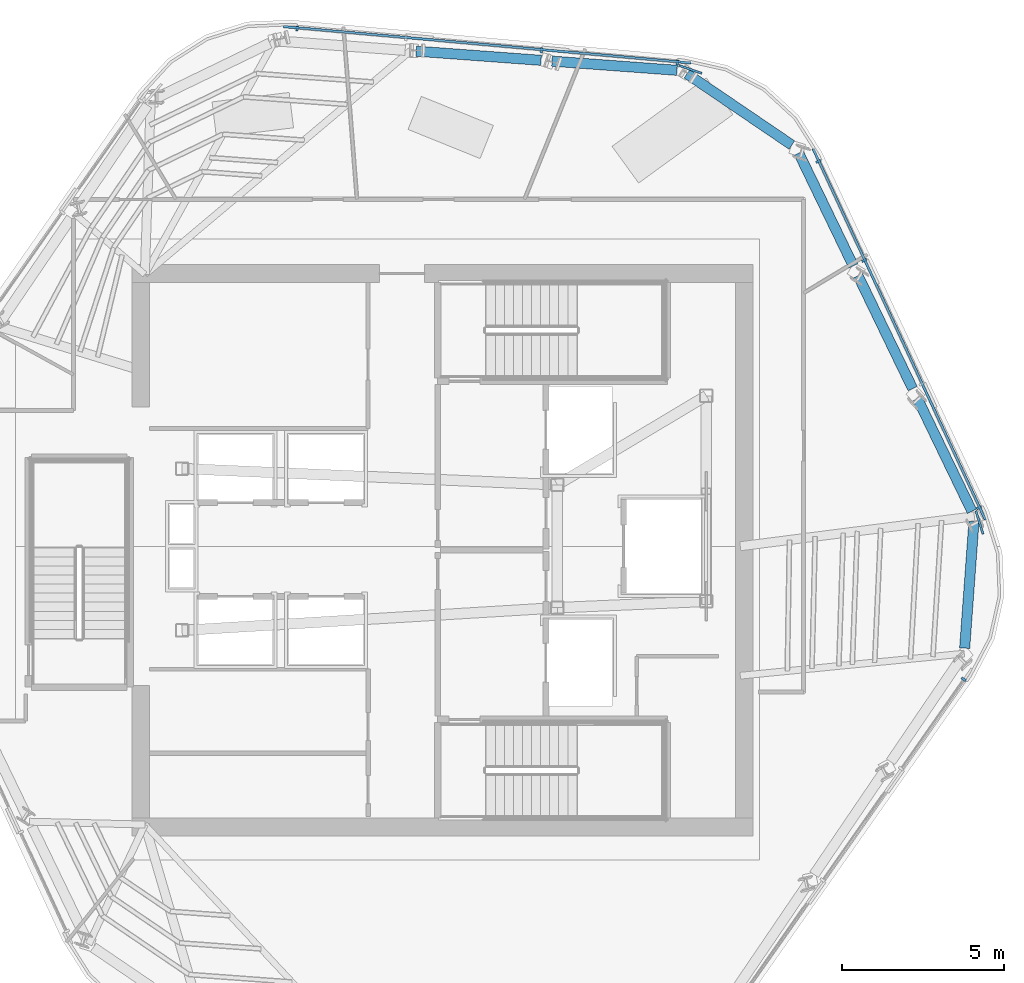
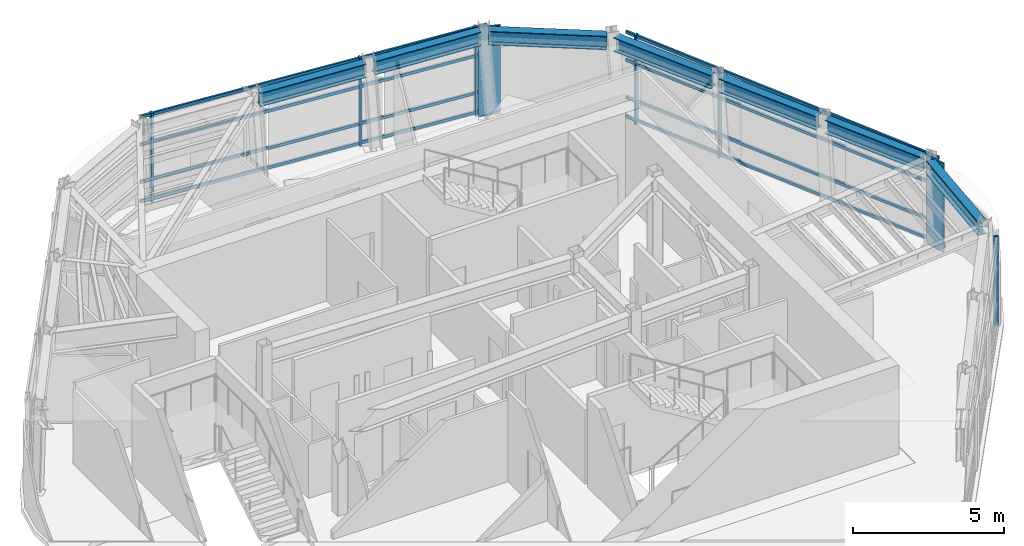
# One storey, part 4 of 12: 17 members, 7 beams, 3 elements without a shape of their own.
"""IFC4 building model written with IfcOpenShell, lengths in metres."""

from ifc_helpers import new_model, si_unit, direction, frame, origin, origin_2d, place, context, subcontext, project, spatial, rectangle, i_section, extrude, material, layer, layer_set, material_profile, profile_set, type_object, element, aggregate, save


model = new_model("IFC4")

# Units and contexts
model_context = context("Model", 3, precision=1e-05, world=origin(), true_north=direction((0.0, 1.0)))
body_context = subcontext(model_context, "Body", "Model", "MODEL_VIEW")
ifc_project = project(units=[si_unit("LENGTHUNIT", "METRE"), si_unit("AREAUNIT", "SQUARE_METRE"), si_unit("VOLUMEUNIT", "CUBIC_METRE"), si_unit("PLANEANGLEUNIT", "RADIAN"), si_unit("MASSUNIT", "GRAM", prefix="KILO")], contexts=[model_context])

# Site, building, storey
site_placement = place(None, origin())
site = spatial("IfcSite", under=ifc_project, at=site_placement, CompositionType="ELEMENT")
building_placement = place(site_placement, origin())
building = spatial("IfcBuilding", under=site, at=building_placement, Name="Valkerne Bourse Tower", CompositionType="ELEMENT")
storey_placement = place(building_placement, frame((0.0, 0.0, 262.199951171875)))
storey = spatial("IfcBuildingStorey", under=building, at=storey_placement, Name="L66", CompositionType="ELEMENT", Elevation=262.199951171875)

# Beams
ifc_material_1 = material(Name="Steel ASTM A992", Category="steel")
ifc_material_profile_1 = material_profile(ifc_material_1, i_section(OverallWidth=0.31494140625, OverallDepth=0.5537109375, WebThickness=0.0166015625, FlangeThickness=0.026123046875, FilletRadius=0.020263671875, at=origin_2d()), Name="W21X132")
ifc_profile_set_1 = profile_set([ifc_material_profile_1], Name="Steel ASTM A992")
beam_type = type_object("IfcBeamType", Name="BM-W21X132", PredefinedType="BEAM", material=ifc_profile_set_1)
for number, where, z_axis, x_axis, name in (
    (1, (54.044677734375, 41.707763671875, 3.3232421875), (-0.997316907808, 0.073205091355, 0.0), (-0.073205091355, -0.997316907808, 0.0), "L66 Hexagonal Spandrel Ring Beam 00"),
    (2, (49.843994140625, 42.01611328125, 3.3232421875), (-0.997312302406, 0.073267806499, 0.0), (-0.073267806499, -0.997312302406, 0.0), "L66 Hexagonal Spandrel Ring Beam 01"),
):
    element("IfcBeam", number, at=place(storey_placement, frame(where, z_axis=z_axis, x_axis=x_axis)), inside=storey, type_object=beam_type, Name=name, PredefinedType="BEAM", context=body_context, shape_type="SweptSolid", body=[
        extrude(i_section(OverallWidth=0.31494140625, OverallDepth=0.5537109375, WebThickness=0.0166015625, FlangeThickness=0.026123046875, FilletRadius=0.020263671875, at=origin_2d()), origin(), (0.0, 0.0, 1.0), 3.8720703125),
    ])
beam_1_placement = place(storey_placement, frame((62.934326171875, 23.85205078125, 3.3232421875), z_axis=(0.07319647364, 0.997317540328, 0.0), x_axis=(-0.997317540328, 0.07319647364, 0.0)))
element("IfcBeam", 3, at=beam_1_placement, inside=storey, type_object=beam_type, Name="L66 Hexagonal Spandrel Ring Beam 19", PredefinedType="BEAM", context=body_context, shape_type="SweptSolid", body=[
    extrude(i_section(OverallWidth=0.31494140625, OverallDepth=0.5537109375, WebThickness=0.0166015625, FlangeThickness=0.026123046875, FilletRadius=0.020263671875, at=origin_2d()), origin(), (0.0, 0.0, 1.0), 3.915771484375),
])
beam_2_placement = place(storey_placement, frame((63.159423828125, 28.079833984375, 3.3232421875), z_axis=(-0.43519336486, 0.900337012002, 0.0), x_axis=(-0.900337012002, -0.43519336486, 0.0)))
element("IfcBeam", 4, at=beam_2_placement, inside=storey, type_object=beam_type, Name="L66 Hexagonal Spandrel Ring Beam 20", PredefinedType="BEAM", context=body_context, shape_type="SweptSolid", body=[
    extrude(i_section(OverallWidth=0.31494140625, OverallDepth=0.5537109375, WebThickness=0.0166015625, FlangeThickness=0.026123046875, FilletRadius=0.020263671875, at=origin_2d()), origin(), (0.0, 0.0, 1.0), 3.8720703125),
])
beam_3_placement = place(storey_placement, frame((61.326416015625, 31.8720703125, 3.3232421875), z_axis=(-0.435269182469, 0.90030036032, 0.0), x_axis=(-0.90030036032, -0.435269182469, 0.0)))
element("IfcBeam", 5, at=beam_3_placement, inside=storey, type_object=beam_type, Name="L66 Hexagonal Spandrel Ring Beam 21", PredefinedType="BEAM", context=body_context, shape_type="SweptSolid", body=[
    extrude(i_section(OverallWidth=0.31494140625, OverallDepth=0.5537109375, WebThickness=0.0166015625, FlangeThickness=0.026123046875, FilletRadius=0.020263671875, at=origin_2d()), origin(), (0.0, 0.0, 1.0), 3.871826171875),
])
beam_4_placement = place(storey_placement, frame((59.4931640625, 35.6640625, 3.3232421875), z_axis=(-0.435244474126, 0.900312305671, 0.0), x_axis=(-0.900312305671, -0.435244474126, 0.0)))
element("IfcBeam", 6, at=beam_4_placement, inside=storey, type_object=beam_type, Name="L66 Hexagonal Spandrel Ring Beam 22", PredefinedType="BEAM", context=body_context, shape_type="SweptSolid", body=[
    extrude(i_section(OverallWidth=0.31494140625, OverallDepth=0.5537109375, WebThickness=0.0166015625, FlangeThickness=0.026123046875, FilletRadius=0.020263671875, at=origin_2d()), origin(), (0.0, 0.0, 1.0), 3.8720703125),
])
beam_5_placement = place(storey_placement, frame((57.59326171875, 39.398681640625, 3.3232421875), z_axis=(-0.827077231919, 0.562088295948, 0.0), x_axis=(-0.562088295948, -0.827077231919, 0.0)))
element("IfcBeam", 7, at=beam_5_placement, inside=storey, type_object=beam_type, Name="L66 Hexagonal Spandrel Ring Beam 23", PredefinedType="BEAM", context=body_context, shape_type="SweptSolid", body=[
    extrude(i_section(OverallWidth=0.31494140625, OverallDepth=0.5537109375, WebThickness=0.0166015625, FlangeThickness=0.026123046875, FilletRadius=0.020263671875, at=origin_2d()), origin(), (0.0, 0.0, 1.0), 3.91552734375),
])

# Curtain wall, members
ifc_material_2 = material(Name="Aluminium AA 6063-T6", Category="aluminium")
ifc_layer = layer(ifc_material_2, 0.2451171875)
ifc_layer_set = layer_set([ifc_layer], Name="Aluminium AA 6063-T6")
curtain_wall_type = type_object("IfcCurtainWallType", Name="CW-05", PredefinedType="NOTDEFINED", material=ifc_layer_set)
curtain_wall_1_placement = place(storey_placement, origin())
curtain_wall_1 = element("IfcCurtainWall", 8, at=curtain_wall_1_placement, inside=storey, type_object=curtain_wall_type, Name="L66 Hexagonal Stick Curtain Wall Face 1", PredefinedType="NOTDEFINED")
ifc_material_profile_2 = material_profile(ifc_material_2, rectangle(XDim=0.074951171875, YDim=0.159912109375, at=origin_2d()), Name="CWM-75X160")
ifc_profile_set_2 = profile_set([ifc_material_profile_2], Name="Aluminium AA 6063-T6")
member_type_1 = type_object("IfcMemberType", Name="CW-MUL-160X75", PredefinedType="MULLION", material=ifc_profile_set_2)
member_1_placement = place(storey_placement, frame((54.055908203125, 41.952880859375, 0.0), z_axis=(0.0, 0.0, 1.0), x_axis=(-0.99603958276, 0.088910908079, 0.0)))
member_1 = element("IfcMember", 9, at=member_1_placement, type_object=member_type_1, Name="CW-L66-F1 Jamb Mullion 00A", PredefinedType="MULLION", context=body_context, shape_type="SweptSolid", body=[
    extrude(rectangle(XDim=0.074951171875, YDim=0.159912109375, at=origin_2d()), origin(), (0.0, 0.0, 1.0), 3.60009765625),
])
member_2_placement = place(storey_placement, frame((49.860595703125, 42.327392578125, 0.0), z_axis=(0.0, 0.0, 1.0), x_axis=(-0.996041497395, 0.088889456445, 0.0)))
member_2 = element("IfcMember", 10, at=member_2_placement, type_object=member_type_1, Name="CW-L66-F1 Jamb Mullion 01A", PredefinedType="MULLION", context=body_context, shape_type="SweptSolid", body=[
    extrude(rectangle(XDim=0.074951171875, YDim=0.159912109375, at=origin_2d()), origin(), (0.0, 0.0, 1.0), 3.60009765625),
])
member_3_placement = place(storey_placement, frame((42.306640625, 43.00146484375, 0.0), z_axis=(0.0, 0.0, 1.0), x_axis=(-0.996041497395, 0.088889456445, 0.0)))
member_3 = element("IfcMember", 11, at=member_3_placement, type_object=member_type_1, Name="CW-L66-F1 Jamb Mullion 02B", PredefinedType="MULLION", context=body_context, shape_type="SweptSolid", body=[
    extrude(rectangle(XDim=0.074951171875, YDim=0.159912109375, at=origin_2d()), origin(), (0.0, 0.0, 1.0), 3.60009765625),
])

# Curtain wall, member
curtain_wall_2_placement = place(storey_placement, origin())
curtain_wall_2 = element("IfcCurtainWall", 12, at=curtain_wall_2_placement, inside=storey, type_object=curtain_wall_type, Name="L66 Hexagonal Stick Curtain Wall Face 5", PredefinedType="NOTDEFINED")
member_4_placement = place(storey_placement, frame((62.904296875, 22.890625, 0.0), z_axis=(0.0, 0.0, 1.0), x_axis=(0.575006942381, 0.818148529433, 0.0)))
member_4 = element("IfcMember", 13, at=member_4_placement, type_object=member_type_1, Name="CW-L66-F5 Jamb Mullion 02B", PredefinedType="MULLION", context=body_context, shape_type="SweptSolid", body=[
    extrude(rectangle(XDim=0.074951171875, YDim=0.159912109375, at=origin_2d()), origin(), (0.0, 0.0, 1.0), 3.60009765625),
])
aggregate(curtain_wall_2, [member_4])

# Curtain wall, members
curtain_wall_3_placement = place(storey_placement, origin())
curtain_wall_3 = element("IfcCurtainWall", 14, at=curtain_wall_3_placement, inside=storey, type_object=curtain_wall_type, Name="L66 Hexagonal Stick Curtain Wall Face 6", PredefinedType="NOTDEFINED")
member_5_placement = place(storey_placement, frame((63.377685546875, 28.192626953125, 0.0), z_axis=(0.0, 0.0, 1.0), x_axis=(-0.421032481957, 0.907045560673, 0.0)))
member_5 = element("IfcMember", 15, at=member_5_placement, type_object=member_type_1, Name="CW-L66-F6 Jamb Mullion 00A", PredefinedType="MULLION", context=body_context, shape_type="SweptSolid", body=[
    extrude(rectangle(XDim=0.074951171875, YDim=0.159912109375, at=origin_2d()), origin(), (0.0, 0.0, 1.0), 3.60009765625),
])
member_6_placement = place(storey_placement, frame((59.830810546875, 35.83349609375, 0.0), z_axis=(0.0, 0.0, 1.0), x_axis=(-0.421041548912, 0.907041351918, 0.0)))
member_6 = element("IfcMember", 16, at=member_6_placement, type_object=member_type_1, Name="CW-L66-F6 Jamb Mullion 02A", PredefinedType="MULLION", context=body_context, shape_type="SweptSolid", body=[
    extrude(rectangle(XDim=0.074951171875, YDim=0.159912109375, at=origin_2d()), origin(), (0.0, 0.0, 1.0), 3.60009765625),
])
member_7_placement = place(storey_placement, frame((58.410888671875, 38.89208984375, 0.0), z_axis=(0.0, 0.0, 1.0), x_axis=(-0.421041548912, 0.907041351918, 0.0)))
member_7 = element("IfcMember", 17, at=member_7_placement, type_object=member_type_1, Name="CW-L66-F6 Jamb Mullion 02B", PredefinedType="MULLION", context=body_context, shape_type="SweptSolid", body=[
    extrude(rectangle(XDim=0.074951171875, YDim=0.159912109375, at=origin_2d()), origin(), (0.0, 0.0, 1.0), 3.60009765625),
])

# Member
ifc_material_profile_3 = material_profile(ifc_material_2, rectangle(XDim=0.074951171875, YDim=0.1201171875, at=origin_2d()), Name="CWT-75X120")
ifc_profile_set_3 = profile_set([ifc_material_profile_3], Name="Aluminium AA 6063-T6")
member_type_2 = type_object("IfcMemberType", Name="CW-TRN-120X75", PredefinedType="USERDEFINED", material=ifc_profile_set_3)
member_8_placement = place(storey_placement, frame((54.47607421875, 41.935546875, 0.1201171875), z_axis=(-0.996040883093, 0.088896339679, 0.0), x_axis=(-0.088896339679, -0.996040883093, 0.0)))
member_8 = element("IfcMember", 18, at=member_8_placement, type_object=member_type_2, Name="CW-L66-F1 Continuous Face Transom 1", ObjectType="TRANSOM", PredefinedType="USERDEFINED", context=body_context, shape_type="SweptSolid", body=[
    extrude(rectangle(XDim=0.074951171875, YDim=0.1201171875, at=origin_2d()), origin(), (0.0, 0.0, 1.0), 12.635986328125),
])

member_9_placement = place(storey_placement, frame((54.47607421875, 41.935546875, 0.900146484375), z_axis=(-0.996040883093, 0.088896339679, 0.0), x_axis=(-0.088896339679, -0.996040883093, 0.0)))
member_9 = element("IfcMember", 19, at=member_9_placement, type_object=member_type_2, Name="CW-L66-F1 Continuous Face Transom 2", ObjectType="TRANSOM", PredefinedType="USERDEFINED", context=body_context, shape_type="SweptSolid", body=[
    extrude(rectangle(XDim=0.074951171875, YDim=0.1201171875, at=origin_2d()), origin(), (0.0, 0.0, 1.0), 12.635986328125),
])

member_10_placement = place(storey_placement, frame((54.47607421875, 41.935546875, 2.400146484375), z_axis=(-0.996040883093, 0.088896339679, 0.0), x_axis=(-0.088896339679, -0.996040883093, 0.0)))
member_10 = element("IfcMember", 20, at=member_10_placement, type_object=member_type_2, Name="CW-L66-F1 Continuous Face Transom 3", ObjectType="TRANSOM", PredefinedType="USERDEFINED", context=body_context, shape_type="SweptSolid", body=[
    extrude(rectangle(XDim=0.074951171875, YDim=0.1201171875, at=origin_2d()), origin(), (0.0, 0.0, 1.0), 12.635986328125),
])

member_11_placement = place(storey_placement, frame((54.47607421875, 41.935546875, 3.52001953125), z_axis=(-0.996040883093, 0.088896339679, 0.0), x_axis=(-0.088896339679, -0.996040883093, 0.0)))
member_11 = element("IfcMember", 21, at=member_11_placement, type_object=member_type_2, Name="CW-L66-F1 Continuous Face Transom 4", ObjectType="TRANSOM", PredefinedType="USERDEFINED", context=body_context, shape_type="SweptSolid", body=[
    extrude(rectangle(XDim=0.074951171875, YDim=0.1201171875, at=origin_2d()), origin(), (0.0, 0.0, 1.0), 12.635986328125),
])

aggregate(curtain_wall_1, [member_8, member_9, member_10, member_11, member_1, member_2, member_3])

member_12_placement = place(storey_placement, frame((63.572509765625, 27.820068359375, 0.1201171875), z_axis=(-0.421042049875, 0.907041119375, 0.0), x_axis=(-0.907041119375, -0.421042049875, 0.0)))
member_12 = element("IfcMember", 22, at=member_12_placement, type_object=member_type_2, Name="CW-L66-F6 Continuous Face Transom 1", ObjectType="TRANSOM", PredefinedType="USERDEFINED", context=body_context, shape_type="SweptSolid", body=[
    extrude(rectangle(XDim=0.074951171875, YDim=0.1201171875, at=origin_2d()), origin(), (0.0, 0.0, 1.0), 12.635986328125),
])

member_13_placement = place(storey_placement, frame((63.572509765625, 27.820068359375, 0.900146484375), z_axis=(-0.421042049875, 0.907041119375, 0.0), x_axis=(-0.907041119375, -0.421042049875, 0.0)))
member_13 = element("IfcMember", 23, at=member_13_placement, type_object=member_type_2, Name="CW-L66-F6 Continuous Face Transom 2", ObjectType="TRANSOM", PredefinedType="USERDEFINED", context=body_context, shape_type="SweptSolid", body=[
    extrude(rectangle(XDim=0.074951171875, YDim=0.1201171875, at=origin_2d()), origin(), (0.0, 0.0, 1.0), 12.635986328125),
])

member_14_placement = place(storey_placement, frame((63.572509765625, 27.820068359375, 2.400146484375), z_axis=(-0.421042049875, 0.907041119375, 0.0), x_axis=(-0.907041119375, -0.421042049875, 0.0)))
member_14 = element("IfcMember", 24, at=member_14_placement, type_object=member_type_2, Name="CW-L66-F6 Continuous Face Transom 3", ObjectType="TRANSOM", PredefinedType="USERDEFINED", context=body_context, shape_type="SweptSolid", body=[
    extrude(rectangle(XDim=0.074951171875, YDim=0.1201171875, at=origin_2d()), origin(), (0.0, 0.0, 1.0), 12.635986328125),
])

member_15_placement = place(storey_placement, frame((63.572509765625, 27.820068359375, 3.52001953125), z_axis=(-0.421042049875, 0.907041119375, 0.0), x_axis=(-0.907041119375, -0.421042049875, 0.0)))
member_15 = element("IfcMember", 25, at=member_15_placement, type_object=member_type_2, Name="CW-L66-F6 Continuous Face Transom 4", ObjectType="TRANSOM", PredefinedType="USERDEFINED", context=body_context, shape_type="SweptSolid", body=[
    extrude(rectangle(XDim=0.074951171875, YDim=0.1201171875, at=origin_2d()), origin(), (0.0, 0.0, 1.0), 12.635986328125),
])

aggregate(curtain_wall_3, [member_12, member_13, member_14, member_15, member_5, member_6, member_7])

# Members
ifc_material_3 = material(Name="Bronze Anodised Aluminium AA 6063-T6", Category="aluminium")
ifc_material_profile_4 = material_profile(ifc_material_3, rectangle(XDim=0.06494140625, YDim=0.75, at=origin_2d()), Name="FIN-65X750")
ifc_profile_set_4 = profile_set([ifc_material_profile_4], Name="Bronze Anodised Aluminium AA 6063-T6")
member_type_3 = type_object("IfcMemberType", Name="FIN-SOLAR-650", PredefinedType="USERDEFINED", material=ifc_profile_set_4)
for number, where, z_axis, x_axis, name in (
    (26, (54.458251953125, 41.736328125, 0.004150390625), (0.0, 0.0, 1.0), (0.326699183277, 0.945128374162, 0.0), "L66 Bronze Anodised Solar Fin F1-00"),
    (27, (63.39111328125, 27.73583984375, 0.004150390625), (0.0, 0.0, 1.0), (0.955837135316, 0.293896870944, 0.0), "L66 Bronze Anodised Solar Fin F6-00"),
):
    element("IfcMember", number, at=place(storey_placement, frame(where, z_axis=z_axis, x_axis=x_axis)), inside=storey, type_object=member_type_3, Name=name, ObjectType="SOLAR_FIN", PredefinedType="USERDEFINED", context=body_context, shape_type="SweptSolid", body=[
        extrude(rectangle(XDim=0.06494140625, YDim=0.75, at=origin_2d()), origin(), (0.0, 0.0, 1.0), 3.591796875),
    ])

save(model, "model.ifc")
